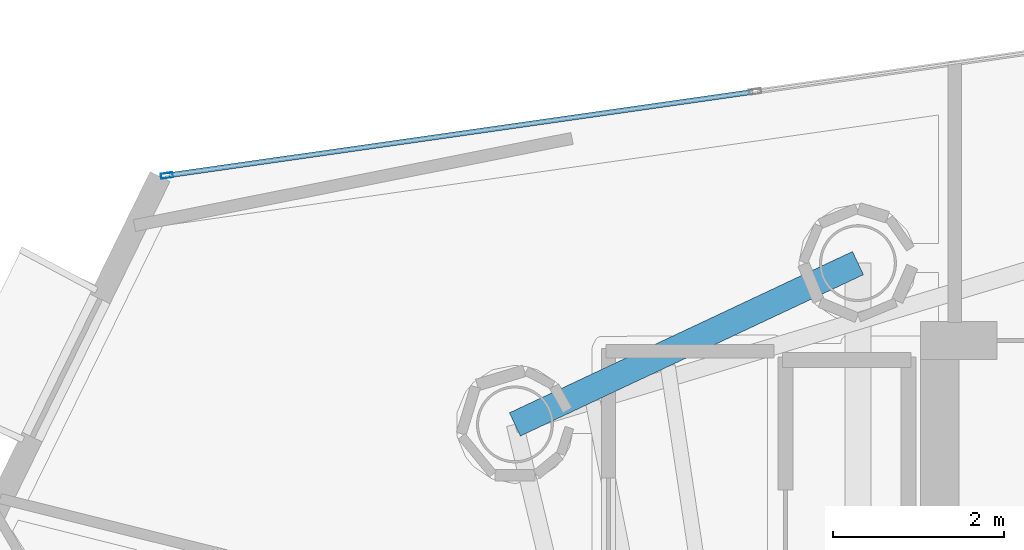
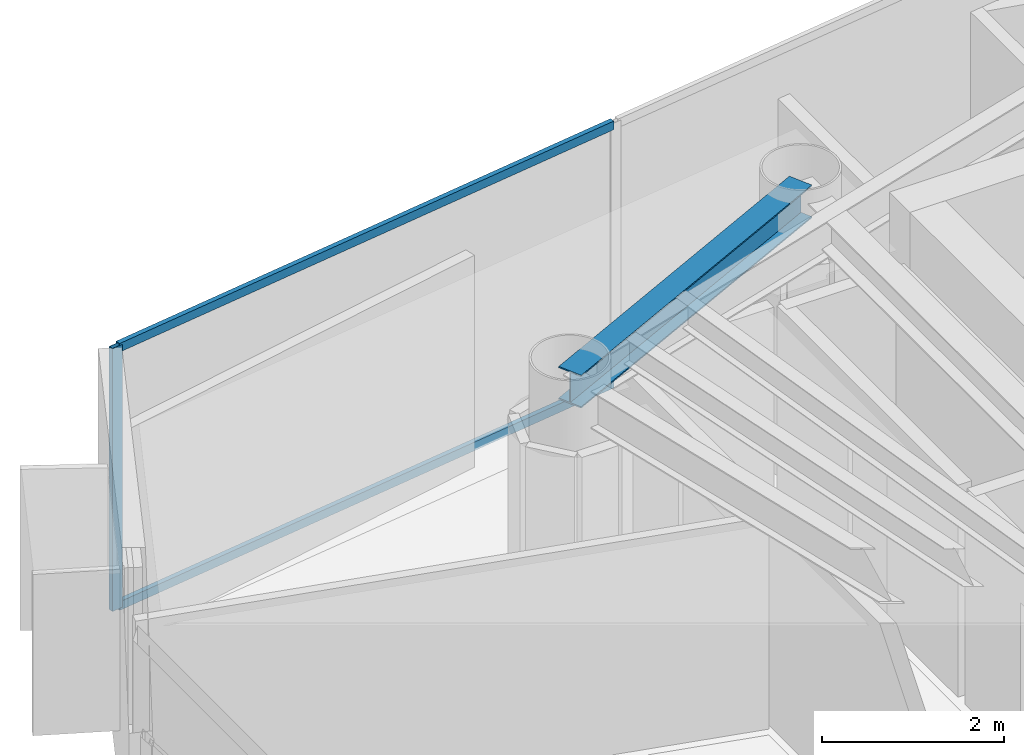
# One storey, part 11 of 25: 3 members, 1 beam, 1 element without a shape of its own.
"""IFC4 building model written with IfcOpenShell, lengths in metres."""

from ifc_helpers import new_model, si_unit, direction, frame, origin, origin_2d, place, context, subcontext, project, spatial, hollow_rectangle, i_section, extrude, material, layer, layer_set, material_profile, profile_set, type_object, element, aggregate, save


model = new_model("IFC4")

# Units and contexts
model_context = context("Model", 3, precision=1e-05, world=origin(), true_north=direction((0.0, 1.0)))
body_context = subcontext(model_context, "Body", "Model", "MODEL_VIEW")
ifc_project = project(units=[si_unit("LENGTHUNIT", "METRE"), si_unit("AREAUNIT", "SQUARE_METRE"), si_unit("VOLUMEUNIT", "CUBIC_METRE"), si_unit("PLANEANGLEUNIT", "RADIAN"), si_unit("MASSUNIT", "GRAM", prefix="KILO")], contexts=[model_context])

# Site, building, storey
site_placement = place(None, origin())
site = spatial("IfcSite", under=ifc_project, at=site_placement, CompositionType="ELEMENT")
building_placement = place(site_placement, origin())
building = spatial("IfcBuilding", under=site, at=building_placement, Name="Qianvela Tower", CompositionType="ELEMENT")
storey_placement = place(building_placement, frame((0.0, 0.0, 295.39990234375)))
storey = spatial("IfcBuildingStorey", under=building, at=storey_placement, Name="L76", CompositionType="ELEMENT", Elevation=295.39990234375)

# Beam
ifc_material_1 = material(Name="Steel Q355B", Category="steel")
ifc_material_profile_1 = material_profile(ifc_material_1, i_section(OverallWidth=0.300048828125, OverallDepth=0.43994140625, WebThickness=0.010986328125, FlangeThickness=0.01806640625, at=origin_2d()), Name="HM440x300x11x18")
ifc_profile_set_1 = profile_set([ifc_material_profile_1], Name="Steel Q355B")
beam_type = type_object("IfcBeamType", Name="BM-HM440-COLL", PredefinedType="BEAM", material=ifc_profile_set_1)
beam_placement = place(storey_placement, frame((28.60009765625, 33.550048828125, 3.298095703125), z_axis=(-0.904957143986, -0.425502723316, 0.0), x_axis=(0.425502723316, -0.904957143986, 0.0)))
element("IfcBeam", 1, at=beam_placement, inside=storey, type_object=beam_type, Name="L76 Radial Primary Floor Girder 3", PredefinedType="BEAM", context=body_context, shape_type="SweptSolid", body=[
    extrude(i_section(OverallWidth=0.300048828125, OverallDepth=0.43994140625, WebThickness=0.010986328125, FlangeThickness=0.01806640625, at=origin_2d()), origin(), (0.0, 0.0, 1.0), 4.4345703125),
])

# Curtain wall, members
ifc_material_2 = material(Name="Anodised Architectural Aluminium and Low-E Glass", Category="aluminium")
ifc_layer = layer(ifc_material_2, 0.14990234375)
ifc_layer_set = layer_set([ifc_layer], Name="Anodised Architectural Aluminium and Low-E Glass")
curtain_wall_type = type_object("IfcCurtainWallType", Name="CW-COLIV-Z78", PredefinedType="USERDEFINED", material=ifc_layer_set)
curtain_wall_placement = place(storey_placement, origin())
curtain_wall = element("IfcCurtainWall", 2, at=curtain_wall_placement, inside=storey, type_object=curtain_wall_type, Name="L76 CW-COLIV-Z78 Curtain Wall 02C", ObjectType="CURTAIN_WALL_SYSTEM", PredefinedType="USERDEFINED")
ifc_material_3 = material(Name="Anodised Architectural Aluminium 6063-T6", Category="aluminium")
ifc_material_profile_2 = material_profile(ifc_material_3, hollow_rectangle(XDim=0.06005859375, YDim=0.139892578125, WallThickness=0.00439453125, at=origin_2d()), Name="ALU-MULL-60x140")
ifc_profile_set_2 = profile_set([ifc_material_profile_2], Name="Anodised Architectural Aluminium 6063-T6")
member_type_1 = type_object("IfcMemberType", Name="CW-COLIV-Z78-MULL", PredefinedType="MULLION", material=ifc_profile_set_2)
member_1_placement = place(storey_placement, frame((20.515380859375, 34.57470703125, 0.0), z_axis=(0.0, 0.0, 1.0), x_axis=(0.141362204424, -0.989957942117, 0.0)))
member_1 = element("IfcMember", 3, at=member_1_placement, type_object=member_type_1, Name="CW-6 mullion 3", PredefinedType="MULLION", context=body_context, shape_type="SweptSolid", body=[
    extrude(hollow_rectangle(XDim=0.06005859375, YDim=0.139892578125, WallThickness=0.00439453125, at=origin_2d()), origin(), (0.0, 0.0, 1.0), 3.52001953125),
])
ifc_material_4 = material(Name="Anodised Architectural Aluminium 6063-T6", Category="aluminium")
ifc_material_profile_3 = material_profile(ifc_material_4, hollow_rectangle(XDim=0.06005859375, YDim=0.114990234375, WallThickness=0.00390625, at=origin_2d()), Name="ALU-TRAN-60x115")
ifc_profile_set_3 = profile_set([ifc_material_profile_3], Name="Anodised Architectural Aluminium 6063-T6")
member_type_2 = type_object("IfcMemberType", Name="CW-COLIV-Z78-TRAN", PredefinedType="USERDEFINED", material=ifc_profile_set_3)
member_2_placement = place(storey_placement, frame((27.3681640625, 35.55322265625, 0.030029296875), z_axis=(-0.989956576947, -0.141371764361, 0.0), x_axis=(0.141371764361, -0.989956576947, 0.0)))
member_2 = element("IfcMember", 4, at=member_2_placement, type_object=member_type_2, Name="CW-6 transom 2.1", ObjectType="TRANSOM", PredefinedType="USERDEFINED", context=body_context, shape_type="SweptSolid", body=[
    extrude(hollow_rectangle(XDim=0.06005859375, YDim=0.114990234375, WallThickness=0.00390625, at=origin_2d()), origin(), (0.0, 0.0, 1.0), 6.892333984375),
])
member_3_placement = place(storey_placement, frame((27.3681640625, 35.55322265625, 3.489990234375), z_axis=(-0.989956576947, -0.141371764361, 0.0), x_axis=(0.141371764361, -0.989956576947, 0.0)))
member_3 = element("IfcMember", 5, at=member_3_placement, type_object=member_type_2, Name="CW-6 transom 2.2", ObjectType="TRANSOM", PredefinedType="USERDEFINED", context=body_context, shape_type="SweptSolid", body=[
    extrude(hollow_rectangle(XDim=0.06005859375, YDim=0.114990234375, WallThickness=0.00390625, at=origin_2d()), origin(), (0.0, 0.0, 1.0), 6.892333984375),
])
aggregate(curtain_wall, [member_1, member_2, member_3])

save(model, "model.ifc")
